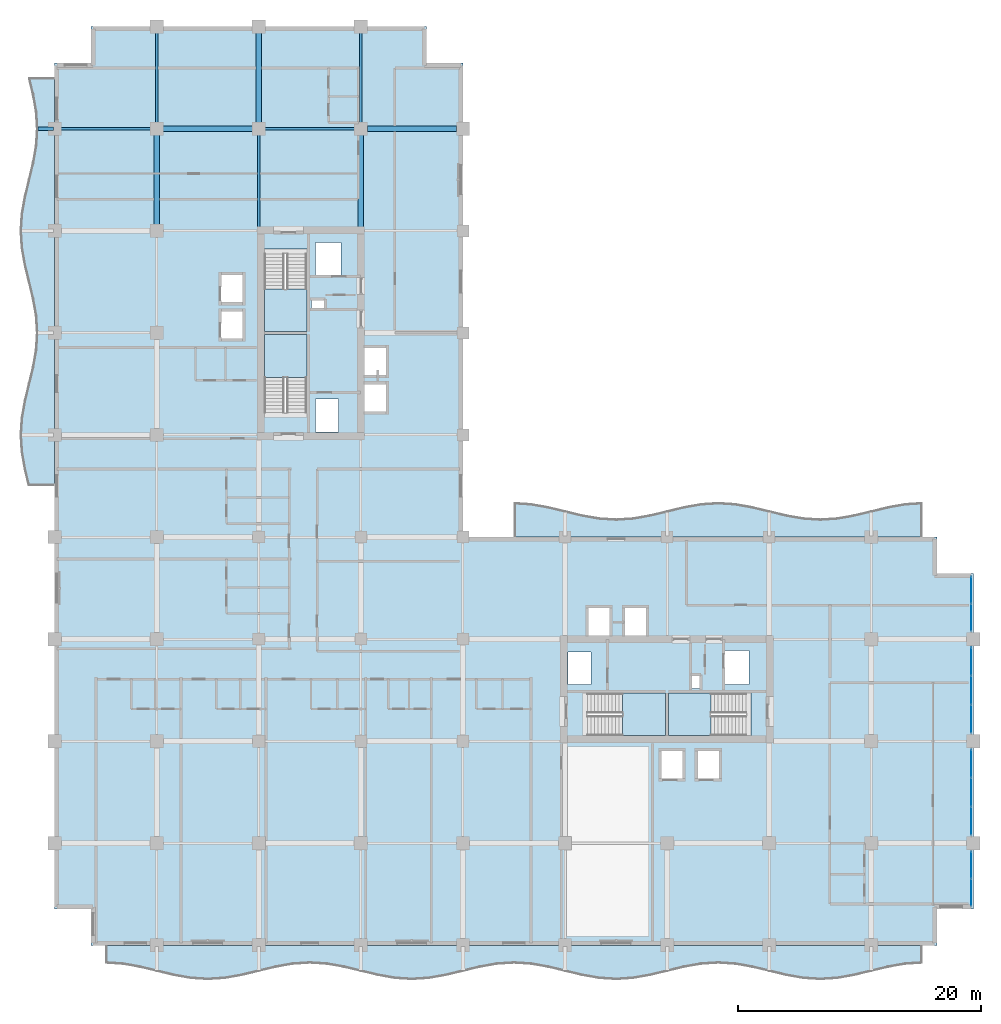
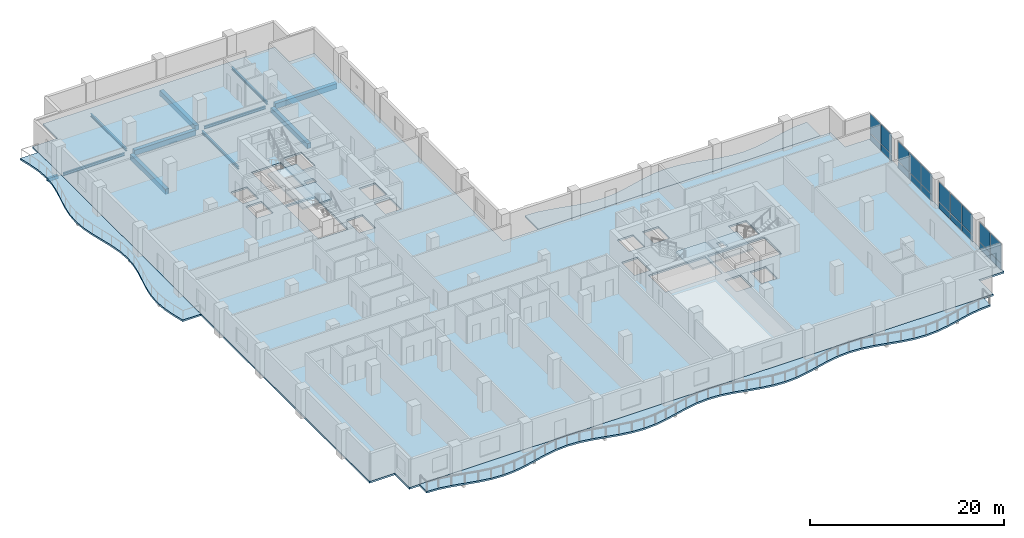
# One storey, part 8 of 21: 20 plates, 11 beams, 8 slabs, 8 elements without a shape of their own.
"""IFC4 building model written with IfcOpenShell, lengths in metres."""

import ifcopenshell
import ifcopenshell.guid

model = None  # the IFC model being written
_history = None  # IfcOwnerHistory: only IFC2X3 demands one
_inside = {}  # id of a spatial element -> (the spatial element, [elements in it])
_under = {}  # id of a project, library or spatial element -> (it, [spatial elements below it])
_declared = {}  # id of a project -> (the project, [libraries it declares])
_typed = {}  # id of a type object -> (the type object, [elements of that type])
_made_of = {}  # id of a material, layer set ... -> (it, [elements and type objects made of it])


def new_model(schema):
    """Start an empty IFC model of exactly this schema.

    Asked for "IFC4X3", IfcOpenShell would pick the latest addendum, in which some entities
    have other attributes; the version numbers below select the first issue.
    IFC2X3 requires an IfcOwnerHistory on every rooted entity: one is made here for all.
    """
    global model, _history
    if schema == "IFC4X3":
        model = ifcopenshell.file(schema_version=(4, 3, 0, 0))
    else:
        model = ifcopenshell.file(schema=schema)
    _inside.clear()
    _under.clear()
    _declared.clear()
    _typed.clear()
    _made_of.clear()
    _history = None
    if model.schema == "IFC2X3":
        org = make("IfcOrganization", Name="unknown")
        user = make(
            "IfcPersonAndOrganization",
            ThePerson=make("IfcPerson", FamilyName="unknown"),
            TheOrganization=org,
        )
        app = make(
            "IfcApplication",
            ApplicationDeveloper=org,
            Version="unknown",
            ApplicationFullName="unknown",
            ApplicationIdentifier="unknown",
        )
        _history = make(
            "IfcOwnerHistory",
            OwningUser=user,
            OwningApplication=app,
            ChangeAction="ADDED",
            CreationDate=0,
        )
    return model


def make(cls, **values):
    """One entity of the class cls with the attributes given. An attribute that is None is left unset."""
    return model.create_entity(
        cls, **{name: value for name, value in values.items() if value is not None}
    )


def rooted(cls, **values):
    """An entity with a GlobalId (a new one), such as an element, a storey or a relation."""
    return make(cls, GlobalId=ifcopenshell.guid.new(), OwnerHistory=_history, **values)


def si_unit(unit_type, name, prefix=None):
    """IfcSIUnit, for example si_unit("LENGTHUNIT", "METRE", prefix="MILLI")."""
    return make("IfcSIUnit", UnitType=unit_type, Prefix=prefix, Name=name)


def assignment(units):
    """IfcUnitAssignment: the units of a project."""
    return None if units is None else make("IfcUnitAssignment", Units=units)


def point(xyz):
    """IfcCartesianPoint."""
    return None if xyz is None else make("IfcCartesianPoint", Coordinates=xyz)


def direction(xyz):
    """IfcDirection."""
    return None if xyz is None else make("IfcDirection", DirectionRatios=xyz)


def frame(location, z_axis=None, x_axis=None):
    """IfcAxis2Placement3D, a coordinate frame: its origin and axes. An axis left out is left unset."""
    return make(
        "IfcAxis2Placement3D",
        Location=point(location),
        Axis=direction(z_axis),
        RefDirection=direction(x_axis),
    )


def frame_2d(location, x_axis=None):
    """IfcAxis2Placement2D, a coordinate frame in the plane: its origin and x axis."""
    return make(
        "IfcAxis2Placement2D", Location=point(location), RefDirection=direction(x_axis)
    )


def origin():
    """The frame at (0, 0, 0) with its axes left unset."""
    return frame((0.0, 0.0, 0.0))


def origin_2d():
    """The frame at (0, 0) in the plane with its x axis left unset."""
    return frame_2d((0.0, 0.0))


def place(relative_to, where):
    """IfcLocalPlacement: puts the frame where relative to a parent placement (None: the world)."""
    return make(
        "IfcLocalPlacement", PlacementRelTo=relative_to, RelativePlacement=where
    )


def context(
    kind, dimensions, precision=None, world=None, true_north=None, identifier=None
):
    """IfcGeometricRepresentationContext, for example the 3D "Model" context."""
    return make(
        "IfcGeometricRepresentationContext",
        ContextIdentifier=identifier,
        ContextType=kind,
        CoordinateSpaceDimension=dimensions,
        Precision=precision,
        WorldCoordinateSystem=world,
        TrueNorth=true_north,
    )


def subcontext(parent, identifier, kind, view, scale=None):
    """IfcGeometricRepresentationSubContext, for example "Body" below "Model"."""
    return make(
        "IfcGeometricRepresentationSubContext",
        ContextIdentifier=identifier,
        ContextType=kind,
        ParentContext=parent,
        TargetScale=scale,
        TargetView=view,
    )


def project(units=None, contexts=None):
    """IfcProject with its units and contexts."""
    return rooted(
        "IfcProject",
        Name="project",
        RepresentationContexts=contexts,
        UnitsInContext=assignment(units),
    )


def spatial(cls, under=None, at=None, **own):
    """A site, building, storey or space (cls), placed at a placement, below another one or the project."""
    s = rooted(cls, ObjectPlacement=at, **own)
    if under is not None:
        _under.setdefault(under.id(), (under, []))[1].append(s)
    return s


def polyline(points):
    """IfcPolyline through the points."""
    return make("IfcPolyline", Points=[point(p) for p in points])


def profile(cls, at=None, kind="AREA", **sizes):
    """A parametric profile (cls). Its sizes go by their IFC names, for example OverallWidth=200.0."""
    return make(cls, ProfileType=kind, Position=at, **sizes)


def rectangle(**sizes):
    """IfcRectangleProfileDef."""
    return profile("IfcRectangleProfileDef", **sizes)


def i_section(**sizes):
    """IfcIShapeProfileDef."""
    return profile("IfcIShapeProfileDef", **sizes)


def outline(outer, holes=None, kind="AREA"):
    """IfcArbitraryClosedProfileDef: a profile drawn as a closed curve; with holes, ...WithVoids."""
    if holes is None:
        return make("IfcArbitraryClosedProfileDef", ProfileType=kind, OuterCurve=outer)
    return make(
        "IfcArbitraryProfileDefWithVoids",
        ProfileType=kind,
        OuterCurve=outer,
        InnerCurves=holes,
    )


def extrude(swept, where, along, depth):
    """IfcExtrudedAreaSolid: the profile swept, set in the frame where, extruded along a direction by depth."""
    return make(
        "IfcExtrudedAreaSolid",
        SweptArea=swept,
        Position=where,
        ExtrudedDirection=direction(along),
        Depth=depth,
    )


def shape(context_of_items, identifier, shape_type, items):
    """IfcShapeRepresentation: the items that make up one representation, for example the "Body"."""
    return make(
        "IfcShapeRepresentation",
        ContextOfItems=context_of_items,
        RepresentationIdentifier=identifier,
        RepresentationType=shape_type,
        Items=items,
    )


def material(Name=None, Category=None):
    """IfcMaterial."""
    return make("IfcMaterial", Name=Name, Category=Category)


def layer(
    of_material, thickness, ventilated=None, Name=None, Category=None, Priority=None
):
    """IfcMaterialLayer: one layer of a wall or slab, of a material (None: an air gap)."""
    return make(
        "IfcMaterialLayer",
        Material=of_material,
        LayerThickness=thickness,
        IsVentilated=ventilated,
        Name=Name,
        Category=Category,
        Priority=Priority,
    )


def layer_set(layers, Name=None):
    """IfcMaterialLayerSet."""
    return make("IfcMaterialLayerSet", MaterialLayers=layers, LayerSetName=Name)


def material_profile(
    of_material, cross_section, Name=None, Category=None, Priority=None
):
    """IfcMaterialProfile: a cross section and its material."""
    return make(
        "IfcMaterialProfile",
        Name=Name,
        Material=of_material,
        Profile=cross_section,
        Priority=Priority,
        Category=Category,
    )


def profile_set(profiles, Name=None, composite=None):
    """IfcMaterialProfileSet."""
    return make(
        "IfcMaterialProfileSet",
        Name=Name,
        MaterialProfiles=profiles,
        CompositeProfile=composite,
    )


def made_of(thing, what):
    """Note that an element or type object is made of a material, layer set ...; save() writes the relation."""
    if what is not None:
        _made_of.setdefault(what.id(), (what, []))[1].append(thing)
    return thing


def type_object(cls, material=None, **own):
    """A type object (cls), such as IfcWallType, which elements share."""
    return made_of(rooted(cls, **own), material)


def element(
    cls,
    number,
    at=None,
    inside=None,
    cuts=None,
    type_object=None,
    material=None,
    context=None,
    identifier="Body",
    shape_type=None,
    held_by="IfcProductDefinitionShape",
    body=None,
    shapes=None,
    **own,
):
    """One element of the class cls, such as IfcWall. Its Tag is "e" and its number.

    at: its placement. inside: the storey or other place that contains it. cuts: it is an
    opening in that element (IfcRelVoidsElement). A single representation is given by context,
    identifier, shape_type and body (its items); several are given by shapes. held_by: the class
    of the entity that holds the representations. save() writes the other relations.
    """
    e = rooted(cls, Tag="e%d" % number, ObjectPlacement=at, **own)
    if body is not None:
        shapes = [shape(context, identifier, shape_type, body)]
    if shapes is not None:
        e.Representation = make(held_by, Representations=shapes)
    if inside is not None:
        _inside.setdefault(inside.id(), (inside, []))[1].append(e)
    if cuts is not None:
        rooted(
            "IfcRelVoidsElement", RelatingBuildingElement=cuts, RelatedOpeningElement=e
        )
    if type_object is not None:
        _typed.setdefault(type_object.id(), (type_object, []))[1].append(e)
    return made_of(e, material)


def aggregate(whole, parts):
    """IfcRelAggregates: a whole, such as a stair, and the parts it consists of."""
    return rooted("IfcRelAggregates", RelatingObject=whole, RelatedObjects=parts)


def save(model, path):
    """Write the relations noted so far, then the file.

    IfcRelAggregates (storeys below a building ...), IfcRelContainedInSpatialStructure (elements
    in a storey), IfcRelDefinesByType, IfcRelAssociatesMaterial and IfcRelDeclares: one each for
    every whole, place, type object, material and project.
    """
    for whole, parts in _under.values():
        aggregate(whole, parts)
    for where, things in _inside.values():
        rooted(
            "IfcRelContainedInSpatialStructure",
            RelatedElements=things,
            RelatingStructure=where,
        )
    for kind, things in _typed.values():
        rooted("IfcRelDefinesByType", RelatedObjects=things, RelatingType=kind)
    for what, things in _made_of.values():
        rooted("IfcRelAssociatesMaterial", RelatedObjects=things, RelatingMaterial=what)
    for by, libraries in _declared.values():
        rooted("IfcRelDeclares", RelatingContext=by, RelatedDefinitions=libraries)
    model.write(path)


model = new_model("IFC4")

# Units and contexts
model_context = context("Model", 3, precision=1e-05, world=origin(), true_north=direction((0.0, 1.0)))
body_context = subcontext(model_context, "Body", "Model", "MODEL_VIEW")
ifc_project = project(units=[si_unit("LENGTHUNIT", "METRE"), si_unit("AREAUNIT", "SQUARE_METRE"), si_unit("VOLUMEUNIT", "CUBIC_METRE"), si_unit("PLANEANGLEUNIT", "RADIAN"), si_unit("MASSUNIT", "GRAM", prefix="KILO")], contexts=[model_context])

# Site, building, storey
site_placement = place(None, origin())
site = spatial("IfcSite", under=ifc_project, at=site_placement, CompositionType="ELEMENT")
building_placement = place(site_placement, origin())
building = spatial("IfcBuilding", under=site, at=building_placement, Name="Koriwani Terraces Tower", CompositionType="ELEMENT")
storey_placement = place(building_placement, frame((0.0, 0.0, 197.60009765625)))
storey = spatial("IfcBuildingStorey", under=building, at=storey_placement, Name="L48", CompositionType="ELEMENT", Elevation=197.60009765625)

# Beams
ifc_material_1 = material(Name="Concrete C40/50", Category="concrete")
ifc_material_profile_1 = material_profile(ifc_material_1, rectangle(XDim=0.300048828125, YDim=0.39990234375, at=origin_2d()), Name="Concrete C40/50", Category="LoadBearing")
ifc_profile_set_1 = profile_set([ifc_material_profile_1], Name="Concrete C40/50")
beam_type_1 = type_object("IfcBeamType", Name="BEAM_RC_BALCONY_RIB_300X400", PredefinedType="JOIST", material=ifc_profile_set_1)
beam_1_placement = place(storey_placement, frame((-1.35009765625, 67.199951171875, -0.43017578125), z_axis=(1.0, 0.0, 0.0), x_axis=(0.0, 1.0, 0.0)))
element("IfcBeam", 1, at=beam_1_placement, inside=storey, type_object=beam_type_1, Name="L48 Balcony Bracket Rib W-4", PredefinedType="JOIST", context=body_context, shape_type="SweptSolid", body=[
    extrude(rectangle(XDim=0.300048828125, YDim=0.39990234375, at=origin_2d()), origin(), (0.0, 0.0, 1.0), 1.25),
])
ifc_material_2 = material(Name="Concrete C50/60", Category="concrete")
ifc_material_profile_2 = material_profile(ifc_material_2, rectangle(XDim=0.449951171875, YDim=0.64990234375, at=origin_2d()), Name="Concrete C50/60", Category="LoadBearing")
ifc_profile_set_2 = profile_set([ifc_material_profile_2], Name="Concrete C50/60")
beam_type_2 = type_object("IfcBeamType", Name="BEAM_RC_GRID_450X650", PredefinedType="BEAM", material=ifc_profile_set_2)
for number, where, z_axis, x_axis, name in (
    (2, (8.929931640625, 67.199951171875, -0.55517578125), (1.0, 0.0, 0.0), (0.0, 1.0, 0.0), "L48 Grid Beam I (8.4-16.8m)"),
    (3, (25.72998046875, 67.199951171875, -0.55517578125), (1.0, 0.0, 0.0), (0.0, 1.0, 0.0), "L48 Grid Beam I (25.2-33.6m)"),
):
    element("IfcBeam", number, at=place(storey_placement, frame(where, z_axis=z_axis, x_axis=x_axis)), inside=storey, type_object=beam_type_2, Name=name, PredefinedType="BEAM", context=body_context, shape_type="SweptSolid", body=[
        extrude(rectangle(XDim=0.449951171875, YDim=0.64990234375, at=origin_2d()), origin(), (0.0, 0.0, 1.0), 7.340087890625),
    ])
beam_2_placement = place(storey_placement, frame((8.39990234375, 59.330078125, -0.55517578125), z_axis=(0.0, 1.0, 0.0), x_axis=(-1.0, 0.0, 0.0)))
element("IfcBeam", 4, at=beam_2_placement, inside=storey, type_object=beam_type_2, Name="L48 Grid Beam 2 (58.8-67.2m)", PredefinedType="BEAM", context=body_context, shape_type="SweptSolid", body=[
    extrude(rectangle(XDim=0.449951171875, YDim=0.64990234375, at=origin_2d()), origin(), (0.0, 0.0, 1.0), 7.33984375),
])
beam_3_placement = place(storey_placement, frame((16.800048828125, 67.72998046875, -0.55517578125), z_axis=(0.0, 1.0, 0.0), x_axis=(-1.0, 0.0, 0.0)))
element("IfcBeam", 5, at=beam_3_placement, inside=storey, type_object=beam_type_2, Name="L48 Grid Beam 3 (67.2-75.6m)", PredefinedType="BEAM", context=body_context, shape_type="SweptSolid", body=[
    extrude(rectangle(XDim=0.449951171875, YDim=0.64990234375, at=origin_2d()), origin(), (0.0, 0.0, 1.0), 7.340087890625),
])
beam_4_placement = place(storey_placement, frame((25.199951171875, 59.1298828125, -0.55517578125), z_axis=(0.0, 1.0, 0.0), x_axis=(-1.0, 0.0, 0.0)))
element("IfcBeam", 6, at=beam_4_placement, inside=storey, type_object=beam_type_2, Name="L48 Grid Beam 4 (58.8-67.2m)", PredefinedType="BEAM", context=body_context, shape_type="SweptSolid", body=[
    extrude(rectangle(XDim=0.449951171875, YDim=0.64990234375, at=origin_2d()), origin(), (0.0, 0.0, 1.0), 7.5400390625),
])
ifc_material_3 = material(Name="Steel ASTM A572 Grade 50", Category="steel")
ifc_material_profile_3 = material_profile(ifc_material_3, i_section(OverallWidth=0.205078125, OverallDepth=0.35400390625, WebThickness=0.009521484375, FlangeThickness=0.016845703125, at=origin_2d()), Name="Steel ASTM A572 Grade 50", Category="LoadBearing")
ifc_profile_set_3 = profile_set([ifc_material_profile_3], Name="Steel ASTM A572 Grade 50")
beam_type_3 = type_object("IfcBeamType", Name="STEEL_BEAM_W360X79", PredefinedType="JOIST", material=ifc_profile_set_3)
beam_5_placement = place(storey_placement, frame((0.530029296875, 67.199951171875, -0.406982421875), z_axis=(1.0, 0.0, 0.0), x_axis=(0.0, 1.0, 0.0)))
element("IfcBeam", 7, at=beam_5_placement, inside=storey, type_object=beam_type_3, Name="L48 Grid Beam I (0.0-8.4m)", PredefinedType="JOIST", context=body_context, shape_type="SweptSolid", body=[
    extrude(i_section(OverallWidth=0.205078125, OverallDepth=0.35400390625, WebThickness=0.009521484375, FlangeThickness=0.016845703125, at=origin_2d()), origin(), (0.0, 0.0, 1.0), 7.340087890625),
])
beam_6_placement = place(storey_placement, frame((17.330078125, 67.199951171875, -0.406982421875), z_axis=(1.0, 0.0, 0.0), x_axis=(0.0, 1.0, 0.0)))
element("IfcBeam", 8, at=beam_6_placement, inside=storey, type_object=beam_type_3, Name="L48 Grid Beam I (16.8-25.2m)", PredefinedType="JOIST", context=body_context, shape_type="SweptSolid", body=[
    extrude(i_section(OverallWidth=0.205078125, OverallDepth=0.35400390625, WebThickness=0.009521484375, FlangeThickness=0.016845703125, at=origin_2d()), origin(), (0.0, 0.0, 1.0), 7.33984375),
])
beam_7_placement = place(storey_placement, frame((8.39990234375, 67.72998046875, -0.406982421875), z_axis=(0.0, 1.0, 0.0), x_axis=(-1.0, 0.0, 0.0)))
element("IfcBeam", 9, at=beam_7_placement, inside=storey, type_object=beam_type_3, Name="L48 Grid Beam 2 (67.2-75.6m)", PredefinedType="JOIST", context=body_context, shape_type="SweptSolid", body=[
    extrude(i_section(OverallWidth=0.205078125, OverallDepth=0.35400390625, WebThickness=0.009521484375, FlangeThickness=0.016845703125, at=origin_2d()), origin(), (0.0, 0.0, 1.0), 7.340087890625),
])
beam_8_placement = place(storey_placement, frame((16.800048828125, 59.1298828125, -0.406982421875), z_axis=(0.0, 1.0, 0.0), x_axis=(-1.0, 0.0, 0.0)))
element("IfcBeam", 10, at=beam_8_placement, inside=storey, type_object=beam_type_3, Name="L48 Grid Beam 3 (58.8-67.2m)", PredefinedType="JOIST", context=body_context, shape_type="SweptSolid", body=[
    extrude(i_section(OverallWidth=0.205078125, OverallDepth=0.35400390625, WebThickness=0.009521484375, FlangeThickness=0.016845703125, at=origin_2d()), origin(), (0.0, 0.0, 1.0), 7.5400390625),
])
beam_9_placement = place(storey_placement, frame((25.199951171875, 67.72998046875, -0.406982421875), z_axis=(0.0, 1.0, 0.0), x_axis=(-1.0, 0.0, 0.0)))
element("IfcBeam", 11, at=beam_9_placement, inside=storey, type_object=beam_type_3, Name="L48 Grid Beam 4 (67.2-75.6m)", PredefinedType="JOIST", context=body_context, shape_type="SweptSolid", body=[
    extrude(i_section(OverallWidth=0.205078125, OverallDepth=0.35400390625, WebThickness=0.009521484375, FlangeThickness=0.016845703125, at=origin_2d()), origin(), (0.0, 0.0, 1.0), 7.340087890625),
])

# Curtain wall, plates
ifc_material_4 = material(Name="Anodised Bronze Aluminium", Category="aluminium")
ifc_layer_1 = layer(ifc_material_4, 0.169921875, Name="Anodised Bronze Aluminium")
ifc_layer_set_1 = layer_set([ifc_layer_1], Name="Anodised Bronze Aluminium")
curtain_wall_type = type_object("IfcCurtainWallType", Name="CW_RES_ZONE3", PredefinedType="NOTDEFINED", material=ifc_layer_set_1)
curtain_wall_1_placement = place(storey_placement, origin())
curtain_wall_1 = element("IfcCurtainWall", 12, at=curtain_wall_1_placement, inside=storey, type_object=curtain_wall_type, Name="L48 Unitised Curtain Wall (E_TIP) Bay 1", PredefinedType="NOTDEFINED")
ifc_material_5 = material(Name="Tempered Laminated Low-E Glass", Category="glass")
ifc_layer_2 = layer(ifc_material_5, 0.028076171875, Name="Tempered Laminated Low-E Glass")
ifc_layer_set_2 = layer_set([ifc_layer_2], Name="Tempered Laminated Low-E Glass")
plate_type = type_object("IfcPlateType", Name="CW_PANEL_VISION_28", PredefinedType="CURTAIN_PANEL", material=ifc_layer_set_2)
plate_1_placement = place(storey_placement, frame((75.425048828125, 29.25244140625, 0.06494140625), z_axis=(0.0, 0.0, 1.0), x_axis=(0.0, -1.0, 0.0)))
plate_1 = element("IfcPlate", 13, at=plate_1_placement, type_object=plate_type, Name="CW-Z3 panel 1.1", PredefinedType="CURTAIN_PANEL", context=body_context, shape_type="SweptSolid", body=[
    extrude(rectangle(XDim=2.195068359375, YDim=0.028076171875, at=origin_2d()), origin(), (0.0, 0.0, 1.0), 0.802490234375),
])
plate_2_placement = place(storey_placement, frame((75.425048828125, 29.25244140625, 0.9326171875), z_axis=(0.0, 0.0, 1.0), x_axis=(0.0, -1.0, 0.0)))
plate_2 = element("IfcPlate", 14, at=plate_2_placement, type_object=plate_type, Name="CW-Z3 panel 1.2", PredefinedType="CURTAIN_PANEL", context=body_context, shape_type="SweptSolid", body=[
    extrude(rectangle(XDim=2.195068359375, YDim=0.028076171875, at=origin_2d()), origin(), (0.0, 0.0, 1.0), 2.472412109375),
])
plate_3_placement = place(storey_placement, frame((75.425048828125, 26.982421875, 0.06494140625), z_axis=(0.0, 0.0, 1.0), x_axis=(0.0, -1.0, 0.0)))
plate_3 = element("IfcPlate", 15, at=plate_3_placement, type_object=plate_type, Name="CW-Z3 panel 2.1", PredefinedType="CURTAIN_PANEL", context=body_context, shape_type="SweptSolid", body=[
    extrude(rectangle(XDim=2.195068359375, YDim=0.028076171875, at=origin_2d()), origin(), (0.0, 0.0, 1.0), 0.802490234375),
])
plate_4_placement = place(storey_placement, frame((75.425048828125, 26.982421875, 0.9326171875), z_axis=(0.0, 0.0, 1.0), x_axis=(0.0, -1.0, 0.0)))
plate_4 = element("IfcPlate", 16, at=plate_4_placement, type_object=plate_type, Name="CW-Z3 panel 2.2", PredefinedType="CURTAIN_PANEL", context=body_context, shape_type="SweptSolid", body=[
    extrude(rectangle(XDim=2.195068359375, YDim=0.028076171875, at=origin_2d()), origin(), (0.0, 0.0, 1.0), 2.472412109375),
])
aggregate(curtain_wall_1, [plate_1, plate_2, plate_3, plate_4])

curtain_wall_2_placement = place(storey_placement, origin())
curtain_wall_2 = element("IfcCurtainWall", 17, at=curtain_wall_2_placement, inside=storey, type_object=curtain_wall_type, Name="L48 Unitised Curtain Wall (E_TIP) Bay 2", PredefinedType="NOTDEFINED")
plate_5_placement = place(storey_placement, frame((75.425048828125, 23.37451171875, 0.06494140625), z_axis=(0.0, 0.0, 1.0), x_axis=(0.0, -1.0, 0.0)))
plate_5 = element("IfcPlate", 18, at=plate_5_placement, type_object=plate_type, Name="CW-Z3 panel 1.1", PredefinedType="CURTAIN_PANEL", context=body_context, shape_type="SweptSolid", body=[
    extrude(rectangle(XDim=2.28076171875, YDim=0.028076171875, at=origin_2d()), origin(), (0.0, 0.0, 1.0), 0.802490234375),
])
plate_6_placement = place(storey_placement, frame((75.425048828125, 23.37451171875, 0.9326171875), z_axis=(0.0, 0.0, 1.0), x_axis=(0.0, -1.0, 0.0)))
plate_6 = element("IfcPlate", 19, at=plate_6_placement, type_object=plate_type, Name="CW-Z3 panel 1.2", PredefinedType="CURTAIN_PANEL", context=body_context, shape_type="SweptSolid", body=[
    extrude(rectangle(XDim=2.28076171875, YDim=0.028076171875, at=origin_2d()), origin(), (0.0, 0.0, 1.0), 2.472412109375),
])
plate_7_placement = place(storey_placement, frame((75.425048828125, 21.0, 0.06494140625), z_axis=(0.0, 0.0, 1.0), x_axis=(0.0, -1.0, 0.0)))
plate_7 = element("IfcPlate", 20, at=plate_7_placement, type_object=plate_type, Name="CW-Z3 panel 2.1", PredefinedType="CURTAIN_PANEL", context=body_context, shape_type="SweptSolid", body=[
    extrude(rectangle(XDim=2.318359375, YDim=0.028076171875, at=origin_2d()), origin(), (0.0, 0.0, 1.0), 0.802490234375),
])
plate_8_placement = place(storey_placement, frame((75.425048828125, 21.0, 0.9326171875), z_axis=(0.0, 0.0, 1.0), x_axis=(0.0, -1.0, 0.0)))
plate_8 = element("IfcPlate", 21, at=plate_8_placement, type_object=plate_type, Name="CW-Z3 panel 2.2", PredefinedType="CURTAIN_PANEL", context=body_context, shape_type="SweptSolid", body=[
    extrude(rectangle(XDim=2.318359375, YDim=0.028076171875, at=origin_2d()), origin(), (0.0, 0.0, 1.0), 2.472412109375),
])
plate_9_placement = place(storey_placement, frame((75.425048828125, 18.62548828125, 0.06494140625), z_axis=(0.0, 0.0, 1.0), x_axis=(0.0, -1.0, 0.0)))
plate_9 = element("IfcPlate", 22, at=plate_9_placement, type_object=plate_type, Name="CW-Z3 panel 3.1", PredefinedType="CURTAIN_PANEL", context=body_context, shape_type="SweptSolid", body=[
    extrude(rectangle(XDim=2.28076171875, YDim=0.028076171875, at=origin_2d()), origin(), (0.0, 0.0, 1.0), 0.802490234375),
])
plate_10_placement = place(storey_placement, frame((75.425048828125, 18.62548828125, 0.9326171875), z_axis=(0.0, 0.0, 1.0), x_axis=(0.0, -1.0, 0.0)))
plate_10 = element("IfcPlate", 23, at=plate_10_placement, type_object=plate_type, Name="CW-Z3 panel 3.2", PredefinedType="CURTAIN_PANEL", context=body_context, shape_type="SweptSolid", body=[
    extrude(rectangle(XDim=2.28076171875, YDim=0.028076171875, at=origin_2d()), origin(), (0.0, 0.0, 1.0), 2.472412109375),
])
aggregate(curtain_wall_2, [plate_5, plate_6, plate_7, plate_8, plate_9, plate_10])

curtain_wall_3_placement = place(storey_placement, origin())
curtain_wall_3 = element("IfcCurtainWall", 24, at=curtain_wall_3_placement, inside=storey, type_object=curtain_wall_type, Name="L48 Unitised Curtain Wall (E_TIP) Bay 3", PredefinedType="NOTDEFINED")
plate_11_placement = place(storey_placement, frame((75.425048828125, 14.974609375, 0.06494140625), z_axis=(0.0, 0.0, 1.0), x_axis=(0.0, -1.0, 0.0)))
plate_11 = element("IfcPlate", 25, at=plate_11_placement, type_object=plate_type, Name="CW-Z3 panel 1.1", PredefinedType="CURTAIN_PANEL", context=body_context, shape_type="SweptSolid", body=[
    extrude(rectangle(XDim=2.28076171875, YDim=0.028076171875, at=origin_2d()), origin(), (0.0, 0.0, 1.0), 0.802490234375),
])
plate_12_placement = place(storey_placement, frame((75.425048828125, 14.974609375, 0.9326171875), z_axis=(0.0, 0.0, 1.0), x_axis=(0.0, -1.0, 0.0)))
plate_12 = element("IfcPlate", 26, at=plate_12_placement, type_object=plate_type, Name="CW-Z3 panel 1.2", PredefinedType="CURTAIN_PANEL", context=body_context, shape_type="SweptSolid", body=[
    extrude(rectangle(XDim=2.28076171875, YDim=0.028076171875, at=origin_2d()), origin(), (0.0, 0.0, 1.0), 2.472412109375),
])
plate_13_placement = place(storey_placement, frame((75.425048828125, 12.60009765625, 0.06494140625), z_axis=(0.0, 0.0, 1.0), x_axis=(0.0, -1.0, 0.0)))
plate_13 = element("IfcPlate", 27, at=plate_13_placement, type_object=plate_type, Name="CW-Z3 panel 2.1", PredefinedType="CURTAIN_PANEL", context=body_context, shape_type="SweptSolid", body=[
    extrude(rectangle(XDim=2.318359375, YDim=0.028076171875, at=origin_2d()), origin(), (0.0, 0.0, 1.0), 0.802490234375),
])
plate_14_placement = place(storey_placement, frame((75.425048828125, 12.60009765625, 0.9326171875), z_axis=(0.0, 0.0, 1.0), x_axis=(0.0, -1.0, 0.0)))
plate_14 = element("IfcPlate", 28, at=plate_14_placement, type_object=plate_type, Name="CW-Z3 panel 2.2", PredefinedType="CURTAIN_PANEL", context=body_context, shape_type="SweptSolid", body=[
    extrude(rectangle(XDim=2.318359375, YDim=0.028076171875, at=origin_2d()), origin(), (0.0, 0.0, 1.0), 2.472412109375),
])
plate_15_placement = place(storey_placement, frame((75.425048828125, 10.225341796875, 0.06494140625), z_axis=(0.0, 0.0, 1.0), x_axis=(0.0, -1.0, 0.0)))
plate_15 = element("IfcPlate", 29, at=plate_15_placement, type_object=plate_type, Name="CW-Z3 panel 3.1", PredefinedType="CURTAIN_PANEL", context=body_context, shape_type="SweptSolid", body=[
    extrude(rectangle(XDim=2.28076171875, YDim=0.028076171875, at=origin_2d()), origin(), (0.0, 0.0, 1.0), 0.802490234375),
])
plate_16_placement = place(storey_placement, frame((75.425048828125, 10.225341796875, 0.9326171875), z_axis=(0.0, 0.0, 1.0), x_axis=(0.0, -1.0, 0.0)))
plate_16 = element("IfcPlate", 30, at=plate_16_placement, type_object=plate_type, Name="CW-Z3 panel 3.2", PredefinedType="CURTAIN_PANEL", context=body_context, shape_type="SweptSolid", body=[
    extrude(rectangle(XDim=2.28076171875, YDim=0.028076171875, at=origin_2d()), origin(), (0.0, 0.0, 1.0), 2.472412109375),
])
aggregate(curtain_wall_3, [plate_11, plate_12, plate_13, plate_14, plate_15, plate_16])

curtain_wall_4_placement = place(storey_placement, origin())
curtain_wall_4 = element("IfcCurtainWall", 31, at=curtain_wall_4_placement, inside=storey, type_object=curtain_wall_type, Name="L48 Unitised Curtain Wall (E_TIP) Bay 4", PredefinedType="NOTDEFINED")
plate_17_placement = place(storey_placement, frame((75.425048828125, 6.617431640625, 0.06494140625), z_axis=(0.0, 0.0, 1.0), x_axis=(0.0, -1.0, 0.0)))
plate_17 = element("IfcPlate", 32, at=plate_17_placement, type_object=plate_type, Name="CW-Z3 panel 1.1", PredefinedType="CURTAIN_PANEL", context=body_context, shape_type="SweptSolid", body=[
    extrude(rectangle(XDim=2.195068359375, YDim=0.028076171875, at=origin_2d()), origin(), (0.0, 0.0, 1.0), 0.802490234375),
])
plate_18_placement = place(storey_placement, frame((75.425048828125, 6.617431640625, 0.9326171875), z_axis=(0.0, 0.0, 1.0), x_axis=(0.0, -1.0, 0.0)))
plate_18 = element("IfcPlate", 33, at=plate_18_placement, type_object=plate_type, Name="CW-Z3 panel 1.2", PredefinedType="CURTAIN_PANEL", context=body_context, shape_type="SweptSolid", body=[
    extrude(rectangle(XDim=2.195068359375, YDim=0.028076171875, at=origin_2d()), origin(), (0.0, 0.0, 1.0), 2.472412109375),
])
plate_19_placement = place(storey_placement, frame((75.425048828125, 4.347412109375, 0.06494140625), z_axis=(0.0, 0.0, 1.0), x_axis=(0.0, -1.0, 0.0)))
plate_19 = element("IfcPlate", 34, at=plate_19_placement, type_object=plate_type, Name="CW-Z3 panel 2.1", PredefinedType="CURTAIN_PANEL", context=body_context, shape_type="SweptSolid", body=[
    extrude(rectangle(XDim=2.195068359375, YDim=0.028076171875, at=origin_2d()), origin(), (0.0, 0.0, 1.0), 0.802490234375),
])
plate_20_placement = place(storey_placement, frame((75.425048828125, 4.347412109375, 0.9326171875), z_axis=(0.0, 0.0, 1.0), x_axis=(0.0, -1.0, 0.0)))
plate_20 = element("IfcPlate", 35, at=plate_20_placement, type_object=plate_type, Name="CW-Z3 panel 2.2", PredefinedType="CURTAIN_PANEL", context=body_context, shape_type="SweptSolid", body=[
    extrude(rectangle(XDim=2.195068359375, YDim=0.028076171875, at=origin_2d()), origin(), (0.0, 0.0, 1.0), 2.472412109375),
])
aggregate(curtain_wall_4, [plate_17, plate_18, plate_19, plate_20])

# Slabs
ifc_layer_3 = layer(ifc_material_1, 0.219970703125, Name="Concrete C40/50")
ifc_layer_set_3 = layer_set([ifc_layer_3], Name="Concrete C40/50")
slab_type_1 = type_object("IfcSlabType", Name="SLAB_BALCONY_220", PredefinedType="FLOOR", material=ifc_layer_set_3)
slab_1_placement = place(storey_placement, frame((0.0, 0.0, -0.22021484375)))
element("IfcSlab", 36, at=slab_1_placement, inside=storey, type_object=slab_type_1, Name="L48 Quilted Circular-Arc Balcony (S)", PredefinedType="FLOOR", context=body_context, shape_type="SweptSolid", body=[
    extrude(outline(polyline([(4.199951171875, 0.0), (5.60009765625, 0.0), (7.0, 0.0), (8.39990234375, 0.0), (9.800048828125, 0.0), (11.199951171875, 0.0), (12.60009765625, 0.0), (14.0, 0.0), (15.39990234375, 0.0), (16.800048828125, 0.0), (18.199951171875, 0.0), (19.60009765625, 0.0), (21.0, 0.0), (22.39990234375, 0.0), (23.800048828125, 0.0), (25.199951171875, 0.0), (26.60009765625, 0.0), (28.0, 0.0), (29.39990234375, 0.0), (30.800048828125, 0.0), (32.199951171875, 0.0), (33.60009765625, 0.0), (35.0, 0.0), (36.39990234375, 0.0), (37.800048828125, 0.0), (39.199951171875, 0.0), (40.60009765625, 0.0), (42.0, 0.0), (43.39990234375, 0.0), (44.800048828125, 0.0), (46.199951171875, 0.0), (47.60009765625, 0.0), (49.0, 0.0), (50.39990234375, 0.0), (51.800048828125, 0.0), (53.199951171875, 0.0), (54.60009765625, 0.0), (56.0, 0.0), (57.39990234375, 0.0), (58.800048828125, 0.0), (60.199951171875, 0.0), (61.60009765625, 0.0), (63.0, 0.0), (64.39990234375, 0.0), (65.800048828125, 0.0), (67.199951171875, 0.0), (68.60009765625, 0.0), (70.0, 0.0), (71.39990234375, 0.0), (71.39990234375, -1.5), (70.0, -1.59033203125), (68.60009765625, -1.83740234375), (67.199951171875, -2.175048828125), (65.800048828125, -2.512451171875), (64.39990234375, -2.759521484375), (63.0, -2.85009765625), (61.60009765625, -2.759521484375), (60.199951171875, -2.512451171875), (58.800048828125, -2.175048828125), (57.39990234375, -1.83740234375), (56.0, -1.59033203125), (54.60009765625, -1.5), (53.199951171875, -1.59033203125), (51.800048828125, -1.83740234375), (50.39990234375, -2.175048828125), (49.0, -2.512451171875), (47.60009765625, -2.759521484375), (46.199951171875, -2.85009765625), (44.800048828125, -2.759521484375), (43.39990234375, -2.512451171875), (42.0, -2.175048828125), (40.60009765625, -1.83740234375), (39.199951171875, -1.59033203125), (37.800048828125, -1.5), (36.39990234375, -1.59033203125), (35.0, -1.83740234375), (33.60009765625, -2.175048828125), (32.199951171875, -2.512451171875), (30.800048828125, -2.759521484375), (29.39990234375, -2.85009765625), (28.0, -2.759521484375), (26.60009765625, -2.512451171875), (25.199951171875, -2.175048828125), (23.800048828125, -1.83740234375), (22.39990234375, -1.59033203125), (21.0, -1.5), (19.60009765625, -1.59033203125), (18.199951171875, -1.83740234375), (16.800048828125, -2.175048828125), (15.39990234375, -2.512451171875), (14.0, -2.759521484375), (12.60009765625, -2.85009765625), (11.199951171875, -2.759521484375), (9.800048828125, -2.512451171875), (8.39990234375, -2.175048828125), (7.0, -1.83740234375), (5.60009765625, -1.59033203125), (4.199951171875, -1.5), (4.199951171875, 0.0)])), origin(), (0.0, 0.0, 1.0), 0.22021484375),
])
slab_2_placement = place(storey_placement, frame((0.0, 0.0, -0.22021484375)))
element("IfcSlab", 37, at=slab_2_placement, inside=storey, type_object=slab_type_1, Name="L48 Quilted Circular-Arc Balcony (W)", PredefinedType="FLOOR", context=body_context, shape_type="SweptSolid", body=[
    extrude(outline(polyline([(0.0, 37.800048828125), (0.0, 39.199951171875), (0.0, 40.60009765625), (0.0, 42.0), (0.0, 43.39990234375), (0.0, 44.800048828125), (0.0, 46.199951171875), (0.0, 47.60009765625), (0.0, 49.0), (0.0, 50.39990234375), (0.0, 51.800048828125), (0.0, 53.199951171875), (0.0, 54.60009765625), (0.0, 56.0), (0.0, 57.39990234375), (0.0, 58.800048828125), (0.0, 60.199951171875), (0.0, 61.60009765625), (0.0, 63.0), (0.0, 64.39990234375), (0.0, 65.800048828125), (0.0, 67.199951171875), (0.0, 68.60009765625), (0.0, 70.0), (0.0, 71.39990234375), (-2.175048828125, 71.39990234375), (-1.83740234375, 70.0), (-1.59033203125, 68.60009765625), (-1.5, 67.199951171875), (-1.59033203125, 65.800048828125), (-1.83740234375, 64.39990234375), (-2.175048828125, 63.0), (-2.512451171875, 61.60009765625), (-2.759521484375, 60.199951171875), (-2.85009765625, 58.800048828125), (-2.759521484375, 57.39990234375), (-2.512451171875, 56.0), (-2.175048828125, 54.60009765625), (-1.83740234375, 53.199951171875), (-1.59033203125, 51.800048828125), (-1.5, 50.39990234375), (-1.59033203125, 49.0), (-1.83740234375, 47.60009765625), (-2.175048828125, 46.199951171875), (-2.512451171875, 44.800048828125), (-2.759521484375, 43.39990234375), (-2.85009765625, 42.0), (-2.759521484375, 40.60009765625), (-2.512451171875, 39.199951171875), (-2.175048828125, 37.800048828125), (0.0, 37.800048828125)])), origin(), (0.0, 0.0, 1.0), 0.22021484375),
])
slab_3_placement = place(storey_placement, frame((0.0, 0.0, -0.22021484375)))
element("IfcSlab", 38, at=slab_3_placement, inside=storey, type_object=slab_type_1, Name="L48 Quilted Circular-Arc Balcony (NE)", PredefinedType="FLOOR", context=body_context, shape_type="SweptSolid", body=[
    extrude(outline(polyline([(71.39990234375, 33.60009765625), (70.0, 33.60009765625), (68.60009765625, 33.60009765625), (67.199951171875, 33.60009765625), (65.800048828125, 33.60009765625), (64.39990234375, 33.60009765625), (63.0, 33.60009765625), (61.60009765625, 33.60009765625), (60.199951171875, 33.60009765625), (58.800048828125, 33.60009765625), (57.39990234375, 33.60009765625), (56.0, 33.60009765625), (54.60009765625, 33.60009765625), (53.199951171875, 33.60009765625), (51.800048828125, 33.60009765625), (50.39990234375, 33.60009765625), (49.0, 33.60009765625), (47.60009765625, 33.60009765625), (46.199951171875, 33.60009765625), (44.800048828125, 33.60009765625), (43.39990234375, 33.60009765625), (42.0, 33.60009765625), (40.60009765625, 33.60009765625), (39.199951171875, 33.60009765625), (37.800048828125, 33.60009765625), (37.800048828125, 36.449951171875), (39.199951171875, 36.359619140625), (40.60009765625, 36.112548828125), (42.0, 35.77490234375), (43.39990234375, 35.4375), (44.800048828125, 35.1904296875), (46.199951171875, 35.10009765625), (47.60009765625, 35.1904296875), (49.0, 35.4375), (50.39990234375, 35.77490234375), (51.800048828125, 36.112548828125), (53.199951171875, 36.359619140625), (54.60009765625, 36.449951171875), (56.0, 36.359619140625), (57.39990234375, 36.112548828125), (58.800048828125, 35.77490234375), (60.199951171875, 35.4375), (61.60009765625, 35.1904296875), (63.0, 35.10009765625), (64.39990234375, 35.1904296875), (65.800048828125, 35.4375), (67.199951171875, 35.77490234375), (68.60009765625, 36.112548828125), (70.0, 36.359619140625), (71.39990234375, 36.449951171875), (71.39990234375, 33.60009765625)])), origin(), (0.0, 0.0, 1.0), 0.22021484375),
])
ifc_layer_4 = layer(ifc_material_1, 0.22998046875, Name="Concrete C40/50")
ifc_layer_set_4 = layer_set([ifc_layer_4], Name="Concrete C40/50")
slab_type_2 = type_object("IfcSlabType", Name="SLAB_RES_TYP_230", PredefinedType="FLOOR", material=ifc_layer_set_4)
slab_4_placement = place(storey_placement, frame((0.0, 0.0, -0.22998046875)))
element("IfcSlab", 39, at=slab_4_placement, inside=storey, type_object=slab_type_2, Name="L48 Structural Floor Slab", PredefinedType="FLOOR", context=body_context, shape_type="SweptSolid", body=[
    extrude(outline(polyline([(3.0, 0.0), (72.60009765625, 0.0), (72.60009765625, 3.0), (75.60009765625, 3.0), (75.60009765625, 30.60009765625), (72.60009765625, 30.60009765625), (72.60009765625, 33.60009765625), (33.60009765625, 33.60009765625), (33.60009765625, 72.60009765625), (30.60009765625, 72.60009765625), (30.60009765625, 75.60009765625), (3.0, 75.60009765625), (3.0, 72.60009765625), (0.0, 72.60009765625), (0.0, 3.0), (3.0, 3.0), (3.0, 0.0)]), holes=[polyline([(17.25, 43.4599609375), (20.75, 43.4599609375), (20.75, 50.25), (17.25, 50.25), (17.25, 43.4599609375)]), polyline([(17.25, 50.5), (20.75, 50.5), (20.75, 57.2900390625), (17.25, 57.2900390625), (17.25, 50.5)]), polyline([(43.4599609375, 17.25), (50.25, 17.25), (50.25, 20.75), (43.4599609375, 20.75), (43.4599609375, 17.25)]), polyline([(50.5, 17.25), (57.2900390625, 17.25), (57.2900390625, 20.75), (50.5, 20.75), (50.5, 17.25)]), polyline([(13.64990234375, 49.85009765625), (15.550048828125, 49.85009765625), (15.550048828125, 52.25), (13.64990234375, 52.25), (13.64990234375, 49.85009765625)]), polyline([(13.64990234375, 52.85009765625), (15.550048828125, 52.85009765625), (15.550048828125, 55.25), (13.64990234375, 55.25), (13.64990234375, 52.85009765625)]), polyline([(49.85009765625, 13.64990234375), (51.75, 13.64990234375), (51.75, 16.050048828125), (49.85009765625, 16.050048828125), (49.85009765625, 13.64990234375)]), polyline([(52.85009765625, 13.64990234375), (54.75, 13.64990234375), (54.75, 16.050048828125), (52.85009765625, 16.050048828125), (52.85009765625, 13.64990234375)]), polyline([(25.449951171875, 43.85009765625), (27.35009765625, 43.85009765625), (27.35009765625, 46.25), (25.449951171875, 46.25), (25.449951171875, 43.85009765625)]), polyline([(25.449951171875, 46.85009765625), (27.35009765625, 46.85009765625), (27.35009765625, 49.25), (25.449951171875, 49.25), (25.449951171875, 46.85009765625)]), polyline([(43.85009765625, 25.449951171875), (45.75, 25.449951171875), (45.75, 27.85009765625), (43.85009765625, 27.85009765625), (43.85009765625, 25.449951171875)]), polyline([(46.85009765625, 25.449951171875), (48.75, 25.449951171875), (48.75, 27.85009765625), (46.85009765625, 27.85009765625), (46.85009765625, 25.449951171875)]), polyline([(21.449951171875, 55.050048828125), (23.550048828125, 55.050048828125), (23.550048828125, 57.85009765625), (21.449951171875, 57.85009765625), (21.449951171875, 55.050048828125)]), polyline([(55.050048828125, 21.449951171875), (57.14990234375, 21.449951171875), (57.14990234375, 24.25), (55.050048828125, 24.25), (55.050048828125, 21.449951171875)]), polyline([(21.449951171875, 42.25), (23.35009765625, 42.25), (23.35009765625, 44.949951171875), (21.449951171875, 44.949951171875), (21.449951171875, 42.25)]), polyline([(42.25, 21.449951171875), (44.14990234375, 21.449951171875), (44.14990234375, 24.14990234375), (42.25, 24.14990234375), (42.25, 21.449951171875)]), polyline([(21.14990234375, 52.419921875), (22.219970703125, 52.419921875), (22.219970703125, 53.179931640625), (21.14990234375, 53.179931640625), (21.14990234375, 52.419921875)]), polyline([(52.419921875, 21.14990234375), (53.179931640625, 21.14990234375), (53.179931640625, 22.219970703125), (52.419921875, 22.219970703125), (52.419921875, 21.14990234375)])]), origin(), (0.0, 0.0, 1.0), 0.22998046875),
])

# Stair, slab
stair_type = type_object("IfcStairType", Name="STAIR_CORE_DOGLEG_1650", PredefinedType="TWO_STRAIGHT_RUN_STAIR", material=ifc_material_1)
stair_1_placement = place(storey_placement, origin())
stair_1 = element("IfcStair", 40, at=stair_1_placement, inside=storey, type_object=stair_type, Name="L48 West Core Exit Stair 1", PredefinedType="HALF_TURN_STAIR")
ifc_layer_5 = layer(ifc_material_1, 0.199951171875, Name="Concrete C40/50")
ifc_layer_set_5 = layer_set([ifc_layer_5], Name="Concrete C40/50")
slab_type_3 = type_object("IfcSlabType", Name="SLAB_STAIR_LANDING_200", PredefinedType="LANDING", material=ifc_layer_set_5)
slab_5_placement = place(storey_placement, frame((0.0, 0.0, 1.64990234375)))
slab_5 = element("IfcSlab", 41, at=slab_5_placement, type_object=slab_type_3, Name="ST-W1 landing 1", PredefinedType="LANDING", context=body_context, shape_type="SweptSolid", body=[
    extrude(outline(polyline([(20.75, 46.75), (20.75, 50.25), (17.25, 50.25), (17.25, 46.75), (20.75, 46.75)])), origin(), (0.0, 0.0, 1.0), 0.199951171875),
])
aggregate(stair_1, [slab_5])

stair_2_placement = place(storey_placement, origin())
stair_2 = element("IfcStair", 42, at=stair_2_placement, inside=storey, type_object=stair_type, Name="L48 West Core Exit Stair 2", PredefinedType="HALF_TURN_STAIR")
slab_6_placement = place(storey_placement, frame((0.0, 0.0, 1.64990234375)))
slab_6 = element("IfcSlab", 43, at=slab_6_placement, type_object=slab_type_3, Name="ST-W2 landing 1", PredefinedType="LANDING", context=body_context, shape_type="SweptSolid", body=[
    extrude(outline(polyline([(17.25, 54.0), (17.25, 50.5), (20.75, 50.5), (20.75, 54.0), (17.25, 54.0)])), origin(), (0.0, 0.0, 1.0), 0.199951171875),
])
aggregate(stair_2, [slab_6])

stair_3_placement = place(storey_placement, origin())
stair_3 = element("IfcStair", 44, at=stair_3_placement, inside=storey, type_object=stair_type, Name="L48 East Core Exit Stair 1", PredefinedType="HALF_TURN_STAIR")
slab_7_placement = place(storey_placement, frame((0.0, 0.0, 1.64990234375)))
slab_7 = element("IfcSlab", 45, at=slab_7_placement, type_object=slab_type_3, Name="ST-E1 landing 1", PredefinedType="LANDING", context=body_context, shape_type="SweptSolid", body=[
    extrude(outline(polyline([(46.75, 17.25), (50.25, 17.25), (50.25, 20.75), (46.75, 20.75), (46.75, 17.25)])), origin(), (0.0, 0.0, 1.0), 0.199951171875),
])
aggregate(stair_3, [slab_7])

stair_4_placement = place(storey_placement, origin())
stair_4 = element("IfcStair", 46, at=stair_4_placement, inside=storey, type_object=stair_type, Name="L48 East Core Exit Stair 2", PredefinedType="HALF_TURN_STAIR")
slab_8_placement = place(storey_placement, frame((0.0, 0.0, 1.64990234375)))
slab_8 = element("IfcSlab", 47, at=slab_8_placement, type_object=slab_type_3, Name="ST-E2 landing 1", PredefinedType="LANDING", context=body_context, shape_type="SweptSolid", body=[
    extrude(outline(polyline([(54.0, 20.75), (50.5, 20.75), (50.5, 17.25), (54.0, 17.25), (54.0, 20.75)])), origin(), (0.0, 0.0, 1.0), 0.199951171875),
])
aggregate(stair_4, [slab_8])

save(model, "model.ifc")
